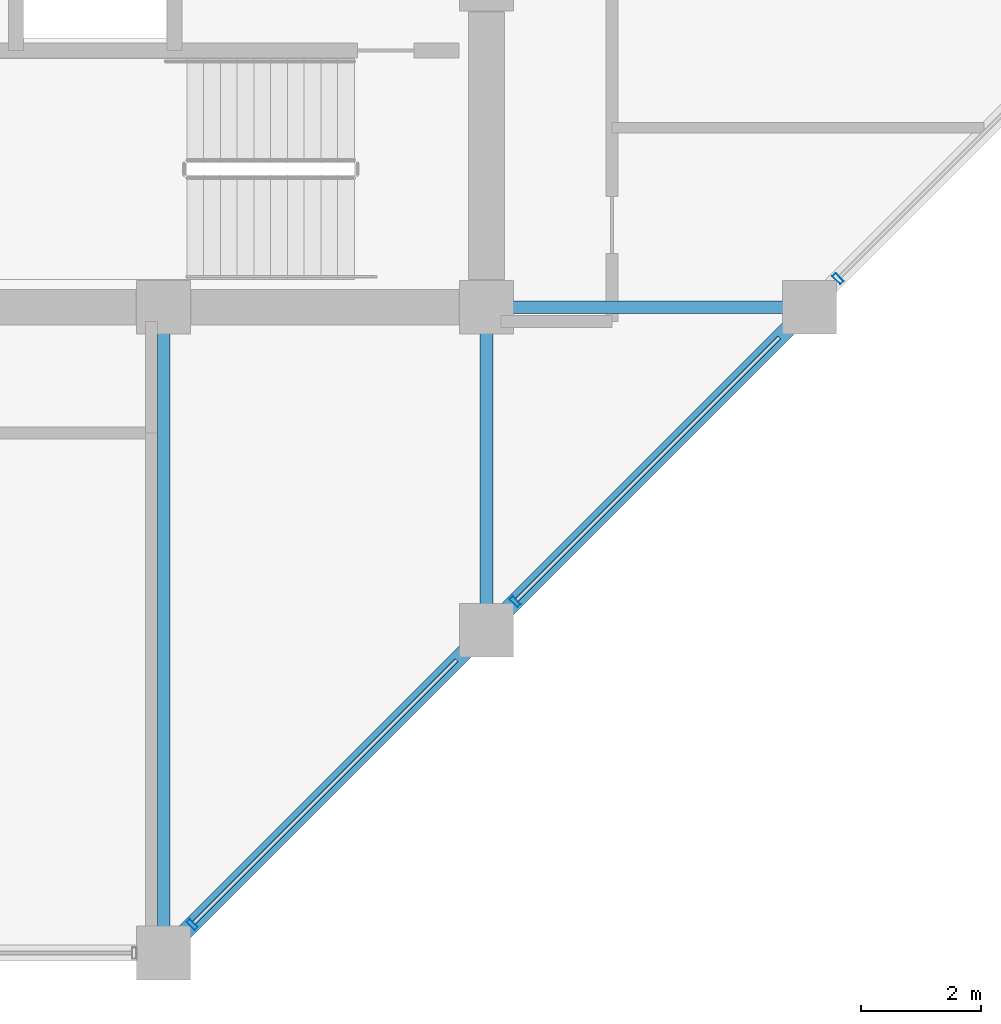
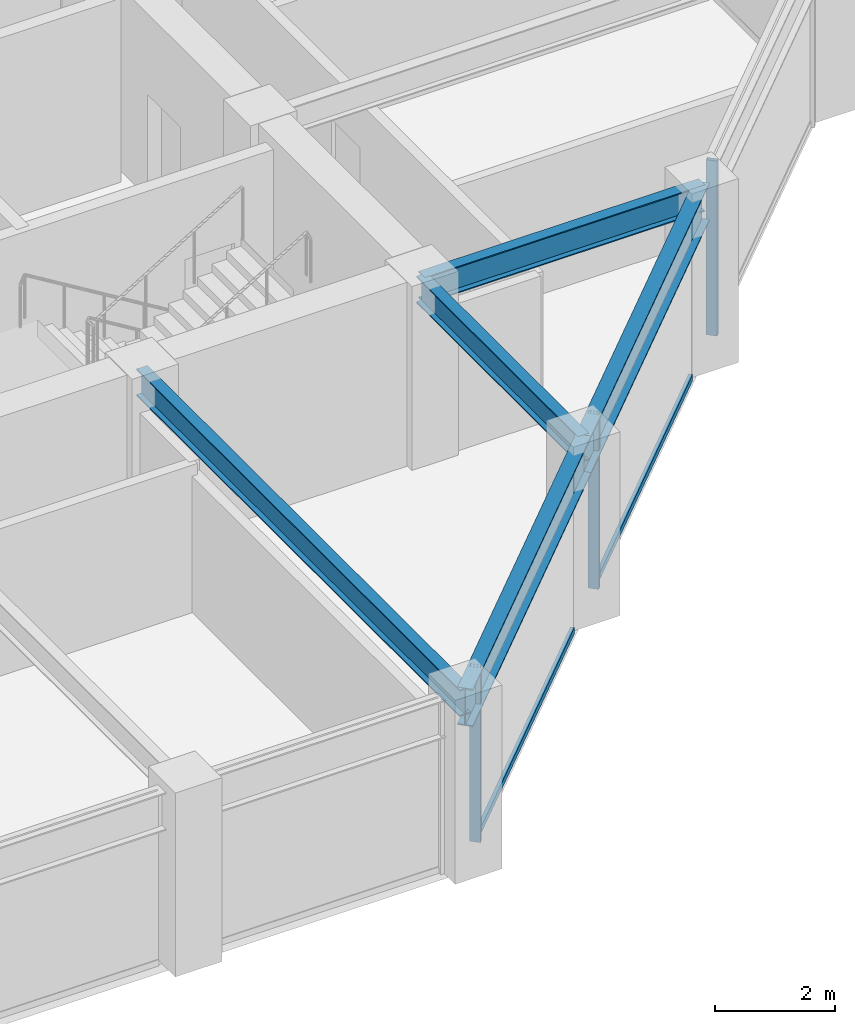
# One storey, part 12 of 32: 5 beams, 5 members, 1 element without a shape of its own.
"""IFC4 building model written with IfcOpenShell, lengths in metres."""

from ifc_helpers import new_model, si_unit, direction, frame, origin, origin_2d, place, context, subcontext, project, spatial, hollow_rectangle, i_section, extrude, material, layer, layer_set, material_profile, profile_set, type_object, element, aggregate, save


model = new_model("IFC4")

# Units and contexts
model_context = context("Model", 3, precision=1e-05, world=origin(), true_north=direction((0.0, 1.0)))
body_context = subcontext(model_context, "Body", "Model", "MODEL_VIEW")
ifc_project = project(units=[si_unit("LENGTHUNIT", "METRE"), si_unit("AREAUNIT", "SQUARE_METRE"), si_unit("VOLUMEUNIT", "CUBIC_METRE"), si_unit("PLANEANGLEUNIT", "RADIAN"), si_unit("MASSUNIT", "GRAM", prefix="KILO")], contexts=[model_context])

# Site, building, storey
site_placement = place(None, origin())
site = spatial("IfcSite", under=ifc_project, at=site_placement, CompositionType="ELEMENT")
building_placement = place(site_placement, origin())
building = spatial("IfcBuilding", under=site, at=building_placement, Name="Surkhivell Harbour Commons", CompositionType="ELEMENT")
storey_placement = place(building_placement, frame((0.0, 0.0, 197.25)))
storey = spatial("IfcBuildingStorey", under=building, at=storey_placement, Name="L51", CompositionType="ELEMENT", Elevation=197.25)

# Beams
ifc_material_1 = material(Name="Steel S355", Category="steel")
ifc_material_profile_1 = material_profile(ifc_material_1, i_section(OverallWidth=0.2119140625, OverallDepth=0.5439453125, WebThickness=0.0126953125, FlangeThickness=0.021240234375, at=origin_2d()), Name="UB533x210x122")
ifc_profile_set_1 = profile_set([ifc_material_profile_1], Name="Steel S355")
beam_type_1 = type_object("IfcBeamType", Name="BM-GRD-533A", PredefinedType="BEAM", material=ifc_profile_set_1)
beam_1_placement = place(storey_placement, frame((5.39990234375, -21.60009765625, 3.298095703125), z_axis=(0.0, 1.0, 0.0), x_axis=(-1.0, 0.0, 0.0)))
element("IfcBeam", 1, at=beam_1_placement, inside=storey, type_object=beam_type_1, Name="L51 Floor Girder (5.4,-21.6)", PredefinedType="BEAM", context=body_context, shape_type="SweptSolid", body=[
    extrude(i_section(OverallWidth=0.2119140625, OverallDepth=0.5439453125, WebThickness=0.0126953125, FlangeThickness=0.021240234375, at=origin_2d()), origin(), (0.0, 0.0, 1.0), 10.800048828125),
])
for number, where, z_axis, x_axis, name in (
    (2, (10.800048828125, -16.199951171875, 3.298095703125), (0.0, 1.0, 0.0), (-1.0, 0.0, 0.0), "L51 Floor Girder (10.8,-16.2)"),
    (3, (10.800048828125, -10.800048828125, 3.298095703125), (1.0, 0.0, 0.0), (0.0, 1.0, 0.0), "L51 Floor Girder (10.8,-10.8)"),
):
    element("IfcBeam", number, at=place(storey_placement, frame(where, z_axis=z_axis, x_axis=x_axis)), inside=storey, type_object=beam_type_1, Name=name, PredefinedType="BEAM", context=body_context, shape_type="SweptSolid", body=[
        extrude(i_section(OverallWidth=0.2119140625, OverallDepth=0.5439453125, WebThickness=0.0126953125, FlangeThickness=0.021240234375, at=origin_2d()), origin(), (0.0, 0.0, 1.0), 5.39990234375),
    ])
ifc_material_profile_2 = material_profile(ifc_material_1, i_section(OverallWidth=0.26806640625, OverallDepth=0.77001953125, WebThickness=0.015625, FlangeThickness=0.025390625, at=origin_2d()), Name="UB762x267x197")
ifc_profile_set_2 = profile_set([ifc_material_profile_2], Name="Steel S355")
beam_type_2 = type_object("IfcBeamType", Name="BM-SPN-762", PredefinedType="SPANDREL", material=ifc_profile_set_2)
beam_2_placement = place(storey_placement, frame((5.39990234375, -21.60009765625, 3.18505859375), z_axis=(0.707106781187, 0.707106781187, 0.0), x_axis=(-0.707106781187, 0.707106781187, 0.0)))
element("IfcBeam", 4, at=beam_2_placement, inside=storey, type_object=beam_type_2, Name="L51 Tube Spandrel (5.4,-21.6)", PredefinedType="SPANDREL", context=body_context, shape_type="SweptSolid", body=[
    extrude(i_section(OverallWidth=0.26806640625, OverallDepth=0.77001953125, WebThickness=0.015625, FlangeThickness=0.025390625, at=origin_2d()), origin(), (0.0, 0.0, 1.0), 7.636962890625),
])
beam_3_placement = place(storey_placement, frame((10.800048828125, -16.199951171875, 3.18505859375), z_axis=(0.707106781187, 0.707106781187, 0.0), x_axis=(-0.707106781187, 0.707106781187, 0.0)))
element("IfcBeam", 5, at=beam_3_placement, inside=storey, type_object=beam_type_2, Name="L51 Tube Spandrel (10.8,-16.2)", PredefinedType="SPANDREL", context=body_context, shape_type="SweptSolid", body=[
    extrude(i_section(OverallWidth=0.26806640625, OverallDepth=0.77001953125, WebThickness=0.015625, FlangeThickness=0.025390625, at=origin_2d()), origin(), (0.0, 0.0, 1.0), 7.63671875),
])

# Curtain wall, members
ifc_material_2 = material(Name="Anodised pale-metal aluminium and insulated glazing", Category="aluminium")
ifc_layer = layer(ifc_material_2, 0.18994140625)
ifc_layer_set = layer_set([ifc_layer], Name="Anodised pale-metal aluminium and insulated glazing")
curtain_wall_type = type_object("IfcCurtainWallType", Name="CW-SYS-Z3", PredefinedType="NOTDEFINED", material=ifc_layer_set)
curtain_wall_placement = place(storey_placement, origin())
curtain_wall = element("IfcCurtainWall", 6, at=curtain_wall_placement, inside=storey, type_object=curtain_wall_type, Name="L51 Curtain Wall CW-L51-E01", PredefinedType="NOTDEFINED")
ifc_material_3 = material(Name="Anodised pale-metal aluminium alloy 6063-T6", Category="aluminium")
ifc_material_profile_3 = material_profile(ifc_material_3, hollow_rectangle(XDim=0.074951171875, YDim=0.18994140625, WallThickness=0.00390625, at=origin_2d()), Name="ALU-MULL-75x190")
ifc_profile_set_3 = profile_set([ifc_material_profile_3], Name="Anodised pale-metal aluminium alloy 6063-T6")
member_type_1 = type_object("IfcMemberType", Name="CWM-190", PredefinedType="MULLION", material=ifc_profile_set_3)
member_1_placement = place(storey_placement, frame((5.878173828125, -21.121826171875, 0.0), z_axis=(0.0, 0.0, 1.0), x_axis=(0.707106781187, 0.707106781187, 0.0)))
member_1 = element("IfcMember", 7, at=member_1_placement, type_object=member_type_1, Name="CW-Z3 mullion 1", PredefinedType="MULLION", context=body_context, shape_type="SweptSolid", body=[
    extrude(hollow_rectangle(XDim=0.074951171875, YDim=0.18994140625, WallThickness=0.00390625, at=origin_2d()), origin(), (0.0, 0.0, 1.0), 3.570068359375),
])
member_2_placement = place(storey_placement, frame((11.278076171875, -15.721923828125, 0.0), z_axis=(0.0, 0.0, 1.0), x_axis=(0.707106781187, 0.707106781187, 0.0)))
member_2 = element("IfcMember", 8, at=member_2_placement, type_object=member_type_1, Name="CW-Z3 mullion 2", PredefinedType="MULLION", context=body_context, shape_type="SweptSolid", body=[
    extrude(hollow_rectangle(XDim=0.074951171875, YDim=0.18994140625, WallThickness=0.00390625, at=origin_2d()), origin(), (0.0, 0.0, 1.0), 3.570068359375),
])
member_3_placement = place(storey_placement, frame((16.67822265625, -10.32177734375, 0.0), z_axis=(0.0, 0.0, 1.0), x_axis=(0.707106781187, 0.707106781187, 0.0)))
member_3 = element("IfcMember", 9, at=member_3_placement, type_object=member_type_1, Name="CW-Z3 mullion 3", PredefinedType="MULLION", context=body_context, shape_type="SweptSolid", body=[
    extrude(hollow_rectangle(XDim=0.074951171875, YDim=0.18994140625, WallThickness=0.00390625, at=origin_2d()), origin(), (0.0, 0.0, 1.0), 3.570068359375),
])
ifc_material_4 = material(Name="Champagne anodised aluminium alloy 6063-T6", Category="aluminium")
ifc_material_profile_4 = material_profile(ifc_material_4, hollow_rectangle(XDim=0.070068359375, YDim=0.1298828125, WallThickness=0.00341796875, at=origin_2d()), Name="ALU-TRAN-70x130")
ifc_profile_set_4 = profile_set([ifc_material_profile_4], Name="Champagne anodised aluminium alloy 6063-T6")
member_type_2 = type_object("IfcMemberType", Name="CWT-130", PredefinedType="USERDEFINED", material=ifc_profile_set_4)
member_4_placement = place(storey_placement, frame((5.90478515625, -21.09521484375, 0.06494140625), z_axis=(0.707106781187, 0.707106781187, 0.0), x_axis=(-0.707106781187, 0.707106781187, 0.0)))
member_4 = element("IfcMember", 10, at=member_4_placement, type_object=member_type_2, Name="CW-Z3 transom 1.1", ObjectType="TRANSOM", PredefinedType="USERDEFINED", context=body_context, shape_type="SweptSolid", body=[
    extrude(hollow_rectangle(XDim=0.070068359375, YDim=0.1298828125, WallThickness=0.00341796875, at=origin_2d()), origin(), (0.0, 0.0, 1.0), 6.209228515625),
])
member_5_placement = place(storey_placement, frame((11.3046875, -15.6953125, 0.06494140625), z_axis=(0.707106781187, 0.707106781187, 0.0), x_axis=(-0.707106781187, 0.707106781187, 0.0)))
member_5 = element("IfcMember", 11, at=member_5_placement, type_object=member_type_2, Name="CW-Z3 transom 2.1", ObjectType="TRANSOM", PredefinedType="USERDEFINED", context=body_context, shape_type="SweptSolid", body=[
    extrude(hollow_rectangle(XDim=0.070068359375, YDim=0.1298828125, WallThickness=0.00341796875, at=origin_2d()), origin(), (0.0, 0.0, 1.0), 6.209228515625),
])
aggregate(curtain_wall, [member_1, member_4, member_2, member_5, member_3])

save(model, "model.ifc")
